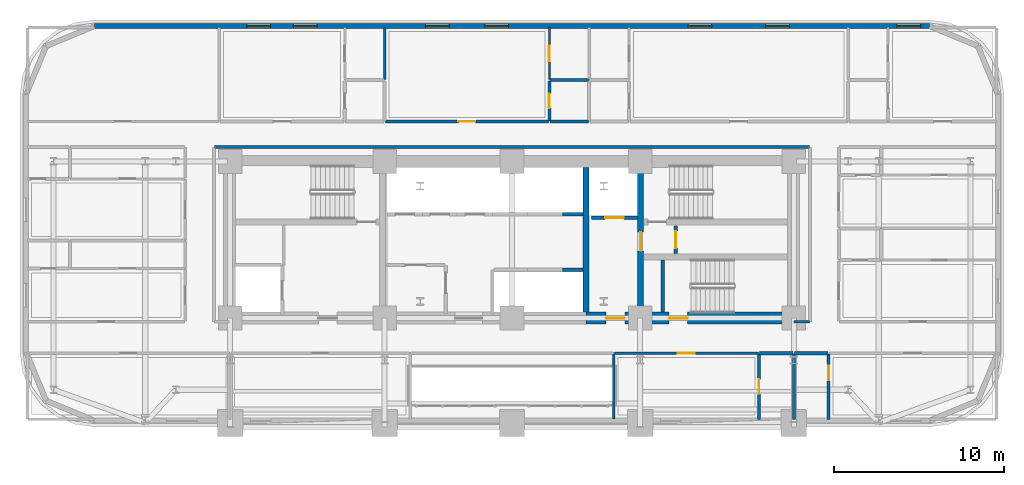
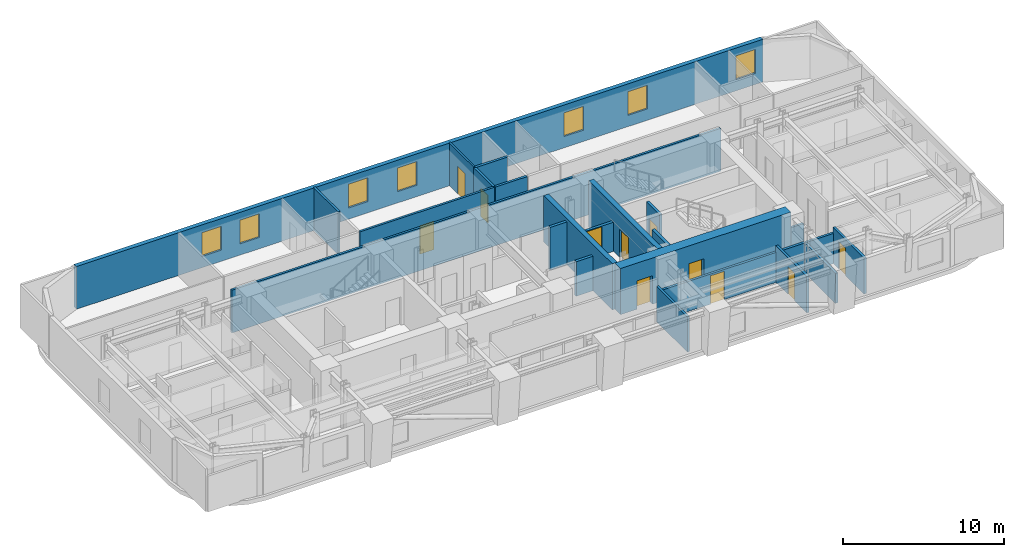
# One storey, part 10 of 15: 24 walls, 11 doors, 7 windows, 18 openings.
"""IFC4 building model written with IfcOpenShell, lengths in metres."""

from ifc_helpers import new_model, si_unit, direction, frame, frame_2d, origin, place, context, subcontext, project, spatial, rectangle, extrude, material, layer, layer_set, type_object, element, fill, save


model = new_model("IFC4")

# Units and contexts
model_context = context("Model", 3, precision=1e-05, world=origin(), true_north=direction((0.0, 1.0)))
body_context = subcontext(model_context, "Body", "Model", "MODEL_VIEW")
ifc_project = project(units=[si_unit("LENGTHUNIT", "METRE"), si_unit("AREAUNIT", "SQUARE_METRE"), si_unit("VOLUMEUNIT", "CUBIC_METRE"), si_unit("PLANEANGLEUNIT", "RADIAN"), si_unit("MASSUNIT", "GRAM", prefix="KILO")], contexts=[model_context])

# Site, building, storey
site_placement = place(None, origin())
site = spatial("IfcSite", under=ifc_project, at=site_placement, CompositionType="ELEMENT")
building_placement = place(site_placement, origin())
building = spatial("IfcBuilding", under=site, at=building_placement, Name="Zarnavel Station Tower", CompositionType="ELEMENT")
storey_placement = place(building_placement, frame((0.0, 0.0, 50.0)))
storey = spatial("IfcBuildingStorey", under=building, at=storey_placement, Name="L13", CompositionType="ELEMENT", Elevation=50.0)

# Wall
ifc_material_1 = material(Name="Concrete C50/60", Category="concrete")
ifc_layer_1 = layer(ifc_material_1, 0.35009765625)
ifc_layer_set_1 = layer_set([ifc_layer_1], Name="CW_350")
wall_type_1 = type_object("IfcWallType", Name="CW_350", PredefinedType="SHEAR", material=ifc_layer_set_1)
wall_1_placement = place(storey_placement, frame((33.14990234375, 28.169921875, 0.0), z_axis=(0.0, 0.0, 1.0), x_axis=(0.0, 1.0, 0.0)))
element("IfcWall", 1, at=wall_1_placement, inside=storey, type_object=wall_type_1, Name="L13 Rear Core Shear Wall DIV-E", PredefinedType="SHEAR", context=body_context, shape_type="SweptSolid", body=[
    extrude(rectangle(XDim=8.530029296875, YDim=0.35009765625, at=frame_2d((4.26513671875, 0.0))), origin(), (0.0, 0.0, 1.0), 3.5),
])

# Wall, opening, door
wall_2_placement = place(storey_placement, frame((36.3798828125, 28.169921875, 0.0), z_axis=(0.0, 0.0, 1.0), x_axis=(0.0, 1.0, 0.0)))
wall_2 = element("IfcWall", 2, at=wall_2_placement, inside=storey, type_object=wall_type_1, Name="L13 Rear Core Shear Wall DIV-S2", PredefinedType="SHEAR", context=body_context, shape_type="SweptSolid", body=[
    extrude(rectangle(XDim=8.530029296875, YDim=0.35009765625, at=frame_2d((4.26513671875, 0.0))), origin(), (0.0, 0.0, 1.0), 3.5),
])
opening_1_placement = place(wall_2_placement, frame((3.610107421875, 0.0, 0.0)))
opening_1 = element("IfcOpeningElement", 3, at=opening_1_placement, cuts=wall_2, Name="Opening FD01", PredefinedType="OPENING", context=body_context, shape_type="SweptSolid", body=[
    extrude(rectangle(XDim=1.10009765625, YDim=2.14990234375, at=frame_2d((0.550048828125, 1.074951171875))), frame((0.0, 0.18505859375, 0.0), z_axis=(0.0, -1.0, 0.0), x_axis=(1.0, 0.0, 0.0)), (0.0, 0.0, 1.0), 0.3701171875),
])
ifc_material_2 = material(Name="Painted Galvanised Steel and Hardwood Leaf", Category="steel")
door_type_1 = type_object("IfcDoorType", Name="ID_STAIR_1100", OperationType="NOTDEFINED", PredefinedType="DOOR", material=ifc_material_2)
door_1_placement = place(opening_1_placement, origin())
door_1 = element("IfcDoor", 4, at=door_1_placement, inside=storey, type_object=door_type_1, Name="L13 East Stair Vestibule Fire Door", OperationType="SINGLE_SWING_LEFT", OverallHeight=2.14990234375, OverallWidth=1.10009765625, PredefinedType="DOOR", context=body_context, shape_type="SweptSolid", body=[
    extrude(rectangle(XDim=1.10009765625, YDim=2.14990234375, at=frame_2d((0.550048828125, 1.074951171875))), frame((0.0, 0.02490234375, 0.0), z_axis=(0.0, -1.0, 0.0), x_axis=(1.0, 0.0, 0.0)), (0.0, 0.0, 1.0), 0.050048828125),
])
fill(opening_1, door_1)

# Wall, openings, doors
ifc_material_3 = material(Name="Concrete C60/75", Category="concrete")
ifc_layer_2 = layer(ifc_material_3, 0.699951171875)
ifc_layer_set_2 = layer_set([ifc_layer_2], Name="CW_700")
wall_type_2 = type_object("IfcWallType", Name="CW_700", PredefinedType="SHEAR", material=ifc_layer_set_2)
wall_3_placement = place(storey_placement, frame((45.3798828125, 27.820068359375, 0.0), z_axis=(0.0, 0.0, 1.0), x_axis=(-1.0, 0.0, 0.0)))
wall_3 = element("IfcWall", 5, at=wall_3_placement, inside=storey, type_object=wall_type_2, Name="L13 Rear Core Shear Wall S-E", PredefinedType="SHEAR", context=body_context, shape_type="SweptSolid", body=[
    extrude(rectangle(XDim=12.22998046875, YDim=0.699951171875, at=frame_2d((6.114990234375, 0.0))), origin(), (0.0, 0.0, 1.0), 3.5),
])
opening_2_placement = place(wall_3_placement, frame((9.929931640625, 0.0, 0.0)))
opening_2 = element("IfcOpeningElement", 6, at=opening_2_placement, cuts=wall_3, Name="Opening FD01", PredefinedType="OPENING", context=body_context, shape_type="SweptSolid", body=[
    extrude(rectangle(XDim=1.10009765625, YDim=2.14990234375, at=frame_2d((0.550048828125, 1.074951171875))), frame((0.0, 0.35986328125, 0.0), z_axis=(0.0, -1.0, 0.0), x_axis=(1.0, 0.0, 0.0)), (0.0, 0.0, 1.0), 0.719970703125),
])
opening_3_placement = place(wall_3_placement, frame((6.22998046875, 0.0, 0.0)))
opening_3 = element("IfcOpeningElement", 7, at=opening_3_placement, cuts=wall_3, Name="Opening FD01", PredefinedType="OPENING", context=body_context, shape_type="SweptSolid", body=[
    extrude(rectangle(XDim=1.10009765625, YDim=2.14990234375, at=frame_2d((0.550048828125, 1.074951171875))), frame((0.0, 0.35986328125, 0.0), z_axis=(0.0, -1.0, 0.0), x_axis=(1.0, 0.0, 0.0)), (0.0, 0.0, 1.0), 0.719970703125),
])
door_2_placement = place(opening_2_placement, origin())
door_2 = element("IfcDoor", 8, at=door_2_placement, inside=storey, type_object=door_type_1, Name="L13 East Firefighting Lobby Door", OperationType="SINGLE_SWING_LEFT", OverallHeight=2.14990234375, OverallWidth=1.10009765625, PredefinedType="DOOR", context=body_context, shape_type="SweptSolid", body=[
    extrude(rectangle(XDim=1.10009765625, YDim=2.14990234375, at=frame_2d((0.550048828125, 1.074951171875))), frame((0.0, 0.02490234375, 0.0), z_axis=(0.0, -1.0, 0.0), x_axis=(1.0, 0.0, 0.0)), (0.0, 0.0, 1.0), 0.050048828125),
])
fill(opening_2, door_2)
door_3_placement = place(opening_3_placement, origin())
door_3 = element("IfcDoor", 9, at=door_3_placement, inside=storey, type_object=door_type_1, Name="L13 Stair ST3 Corridor Fire Door", OperationType="SINGLE_SWING_RIGHT", OverallHeight=2.14990234375, OverallWidth=1.10009765625, PredefinedType="DOOR", context=body_context, shape_type="SweptSolid", body=[
    extrude(rectangle(XDim=1.10009765625, YDim=2.14990234375, at=frame_2d((0.550048828125, 1.074951171875))), frame((0.0, 0.02490234375, 0.0), z_axis=(0.0, -1.0, 0.0), x_axis=(1.0, 0.0, 0.0)), (0.0, 0.0, 1.0), 0.050048828125),
])
fill(opening_3, door_3)

# Wall, openings, windows
ifc_material_4 = material(Name="Precast concrete C45/55 (Dark Basalt Finish)", Category="masonry")
ifc_layer_3 = layer(ifc_material_4, 0.300048828125)
ifc_layer_set_3 = layer_set([ifc_layer_3], Name="EW_BASALT_300")
wall_type_3 = type_object("IfcWallType", Name="EW_BASALT_300", PredefinedType="SOLIDWALL", material=ifc_layer_set_3)
wall_4_placement = place(storey_placement, frame((4.199951171875, 45.02001953125, 0.0), z_axis=(0.0, 0.0, 1.0), x_axis=(1.0, 0.0, 0.0)))
wall_4 = element("IfcWall", 10, at=wall_4_placement, inside=storey, type_object=wall_type_3, Name="L13 Exterior Basalt Masonry Frame Wall 06", PredefinedType="SOLIDWALL", context=body_context, shape_type="SweptSolid", body=[
    extrude(rectangle(XDim=49.199951171875, YDim=0.300048828125, at=frame_2d((24.60009765625, 0.0))), origin(), (0.0, 0.0, 1.0), 3.239990234375),
])
opening_4_placement = place(wall_4_placement, frame((8.989990234375, 0.0, 0.85009765625)))
opening_4 = element("IfcOpeningElement", 11, at=opening_4_placement, cuts=wall_4, Name="Opening WN01", PredefinedType="OPENING", context=body_context, shape_type="SweptSolid", body=[
    extrude(rectangle(XDim=1.39990234375, YDim=1.800048828125, at=frame_2d((0.699951171875, 0.89990234375))), frame((0.0, 0.159912109375, 0.0), z_axis=(0.0, -1.0, 0.0), x_axis=(1.0, 0.0, 0.0)), (0.0, 0.0, 1.0), 0.320068359375),
])
opening_5_placement = place(wall_4_placement, frame((11.719970703125, 0.0, 0.85009765625)))
opening_5 = element("IfcOpeningElement", 12, at=opening_5_placement, cuts=wall_4, Name="Opening WN01", PredefinedType="OPENING", context=body_context, shape_type="SweptSolid", body=[
    extrude(rectangle(XDim=1.39990234375, YDim=1.800048828125, at=frame_2d((0.699951171875, 0.89990234375))), frame((0.0, 0.159912109375, 0.0), z_axis=(0.0, -1.0, 0.0), x_axis=(1.0, 0.0, 0.0)), (0.0, 0.0, 1.0), 0.320068359375),
])
opening_6_placement = place(wall_4_placement, frame((19.4990234375, 0.0, 0.85009765625)))
opening_6 = element("IfcOpeningElement", 13, at=opening_6_placement, cuts=wall_4, Name="Opening WN01", PredefinedType="OPENING", context=body_context, shape_type="SweptSolid", body=[
    extrude(rectangle(XDim=1.39990234375, YDim=1.800048828125, at=frame_2d((0.699951171875, 0.89990234375))), frame((0.0, 0.159912109375, 0.0), z_axis=(0.0, -1.0, 0.0), x_axis=(1.0, 0.0, 0.0)), (0.0, 0.0, 1.0), 0.320068359375),
])
opening_7_placement = place(wall_4_placement, frame((22.998046875, 0.0, 0.85009765625)))
opening_7 = element("IfcOpeningElement", 14, at=opening_7_placement, cuts=wall_4, Name="Opening WN01", PredefinedType="OPENING", context=body_context, shape_type="SweptSolid", body=[
    extrude(rectangle(XDim=1.39990234375, YDim=1.800048828125, at=frame_2d((0.699951171875, 0.89990234375))), frame((0.0, 0.159912109375, 0.0), z_axis=(0.0, -1.0, 0.0), x_axis=(1.0, 0.0, 0.0)), (0.0, 0.0, 1.0), 0.320068359375),
])
opening_8_placement = place(wall_4_placement, frame((34.964599609375, 0.0, 0.85009765625)))
opening_8 = element("IfcOpeningElement", 15, at=opening_8_placement, cuts=wall_4, Name="Opening WN01", PredefinedType="OPENING", context=body_context, shape_type="SweptSolid", body=[
    extrude(rectangle(XDim=1.39990234375, YDim=1.800048828125, at=frame_2d((0.699951171875, 0.89990234375))), frame((0.0, 0.159912109375, 0.0), z_axis=(0.0, -1.0, 0.0), x_axis=(1.0, 0.0, 0.0)), (0.0, 0.0, 1.0), 0.320068359375),
])
opening_9_placement = place(wall_4_placement, frame((39.5322265625, 0.0, 0.85009765625)))
opening_9 = element("IfcOpeningElement", 16, at=opening_9_placement, cuts=wall_4, Name="Opening WN01", PredefinedType="OPENING", context=body_context, shape_type="SweptSolid", body=[
    extrude(rectangle(XDim=1.39990234375, YDim=1.800048828125, at=frame_2d((0.699951171875, 0.89990234375))), frame((0.0, 0.159912109375, 0.0), z_axis=(0.0, -1.0, 0.0), x_axis=(1.0, 0.0, 0.0)), (0.0, 0.0, 1.0), 0.320068359375),
])
opening_10_placement = place(wall_4_placement, frame((47.264892578125, 0.0, 0.85009765625)))
opening_10 = element("IfcOpeningElement", 17, at=opening_10_placement, cuts=wall_4, Name="Opening WN01", PredefinedType="OPENING", context=body_context, shape_type="SweptSolid", body=[
    extrude(rectangle(XDim=1.39990234375, YDim=1.800048828125, at=frame_2d((0.699951171875, 0.89990234375))), frame((0.0, 0.159912109375, 0.0), z_axis=(0.0, -1.0, 0.0), x_axis=(1.0, 0.0, 0.0)), (0.0, 0.0, 1.0), 0.320068359375),
])
ifc_material_5 = material(Name="Thermally Broken Black Aluminium and Low-E Dark Glass", Category="aluminium")
window_type = type_object("IfcWindowType", Name="WN_1400x1800", PartitioningType="DOUBLE_PANEL_VERTICAL", PredefinedType="WINDOW", material=ifc_material_5)
window_1_placement = place(opening_4_placement, origin())
window_1 = element("IfcWindow", 18, at=window_1_placement, inside=storey, type_object=window_type, Name="L13 Recessed Facade Window 01", OverallHeight=1.800048828125, OverallWidth=1.39990234375, PartitioningType="SINGLE_PANEL", PredefinedType="WINDOW", context=body_context, shape_type="SweptSolid", body=[
    extrude(rectangle(XDim=1.39990234375, YDim=1.800048828125, at=frame_2d((0.699951171875, 0.89990234375))), frame((0.0, 0.030029296875, 0.0), z_axis=(0.0, -1.0, 0.0), x_axis=(1.0, 0.0, 0.0)), (0.0, 0.0, 1.0), 0.06005859375),
])
fill(opening_4, window_1)
window_2_placement = place(opening_5_placement, origin())
window_2 = element("IfcWindow", 19, at=window_2_placement, inside=storey, type_object=window_type, Name="L13 Recessed Facade Window 02", OverallHeight=1.800048828125, OverallWidth=1.39990234375, PartitioningType="SINGLE_PANEL", PredefinedType="WINDOW", context=body_context, shape_type="SweptSolid", body=[
    extrude(rectangle(XDim=1.39990234375, YDim=1.800048828125, at=frame_2d((0.699951171875, 0.89990234375))), frame((0.0, 0.030029296875, 0.0), z_axis=(0.0, -1.0, 0.0), x_axis=(1.0, 0.0, 0.0)), (0.0, 0.0, 1.0), 0.06005859375),
])
fill(opening_5, window_2)
window_3_placement = place(opening_6_placement, origin())
window_3 = element("IfcWindow", 20, at=window_3_placement, inside=storey, type_object=window_type, Name="L13 Recessed Facade Window 03", OverallHeight=1.800048828125, OverallWidth=1.39990234375, PartitioningType="SINGLE_PANEL", PredefinedType="WINDOW", context=body_context, shape_type="SweptSolid", body=[
    extrude(rectangle(XDim=1.39990234375, YDim=1.800048828125, at=frame_2d((0.699951171875, 0.89990234375))), frame((0.0, 0.030029296875, 0.0), z_axis=(0.0, -1.0, 0.0), x_axis=(1.0, 0.0, 0.0)), (0.0, 0.0, 1.0), 0.06005859375),
])
fill(opening_6, window_3)
window_4_placement = place(opening_7_placement, origin())
window_4 = element("IfcWindow", 21, at=window_4_placement, inside=storey, type_object=window_type, Name="L13 Recessed Facade Window 04", OverallHeight=1.800048828125, OverallWidth=1.39990234375, PartitioningType="SINGLE_PANEL", PredefinedType="WINDOW", context=body_context, shape_type="SweptSolid", body=[
    extrude(rectangle(XDim=1.39990234375, YDim=1.800048828125, at=frame_2d((0.699951171875, 0.89990234375))), frame((0.0, 0.030029296875, 0.0), z_axis=(0.0, -1.0, 0.0), x_axis=(1.0, 0.0, 0.0)), (0.0, 0.0, 1.0), 0.06005859375),
])
fill(opening_7, window_4)
window_5_placement = place(opening_8_placement, origin())
window_5 = element("IfcWindow", 22, at=window_5_placement, inside=storey, type_object=window_type, Name="L13 Recessed Facade Window 05", OverallHeight=1.800048828125, OverallWidth=1.39990234375, PartitioningType="SINGLE_PANEL", PredefinedType="WINDOW", context=body_context, shape_type="SweptSolid", body=[
    extrude(rectangle(XDim=1.39990234375, YDim=1.800048828125, at=frame_2d((0.699951171875, 0.89990234375))), frame((0.0, 0.030029296875, 0.0), z_axis=(0.0, -1.0, 0.0), x_axis=(1.0, 0.0, 0.0)), (0.0, 0.0, 1.0), 0.06005859375),
])
fill(opening_8, window_5)
window_6_placement = place(opening_9_placement, origin())
window_6 = element("IfcWindow", 23, at=window_6_placement, inside=storey, type_object=window_type, Name="L13 Recessed Facade Window 06", OverallHeight=1.800048828125, OverallWidth=1.39990234375, PartitioningType="SINGLE_PANEL", PredefinedType="WINDOW", context=body_context, shape_type="SweptSolid", body=[
    extrude(rectangle(XDim=1.39990234375, YDim=1.800048828125, at=frame_2d((0.699951171875, 0.89990234375))), frame((0.0, 0.030029296875, 0.0), z_axis=(0.0, -1.0, 0.0), x_axis=(1.0, 0.0, 0.0)), (0.0, 0.0, 1.0), 0.06005859375),
])
fill(opening_9, window_6)
window_7_placement = place(opening_10_placement, origin())
window_7 = element("IfcWindow", 24, at=window_7_placement, inside=storey, type_object=window_type, Name="L13 Recessed Facade Window 07", OverallHeight=1.800048828125, OverallWidth=1.39990234375, PartitioningType="SINGLE_PANEL", PredefinedType="WINDOW", context=body_context, shape_type="SweptSolid", body=[
    extrude(rectangle(XDim=1.39990234375, YDim=1.800048828125, at=frame_2d((0.699951171875, 0.89990234375))), frame((0.0, 0.030029296875, 0.0), z_axis=(0.0, -1.0, 0.0), x_axis=(1.0, 0.0, 0.0)), (0.0, 0.0, 1.0), 0.06005859375),
])
fill(opening_10, window_7)

# Wall, opening, door
ifc_material_6 = material(Name="Gypsum Twin-Stud Acoustic Fire Partition", Category="concrete")
ifc_layer_4 = layer(ifc_material_6, 0.159912109375)
ifc_layer_set_4 = layer_set([ifc_layer_4], Name="PT_DEMISE_160")
wall_type_4 = type_object("IfcWallType", Name="PT_DEMISE_160", PredefinedType="PARTITIONING", material=ifc_layer_set_4)
wall_5_placement = place(storey_placement, frame((34.840087890625, 25.75, 0.0), z_axis=(0.0, 0.0, 1.0), x_axis=(1.0, 0.0, 0.0)))
wall_5 = element("IfcWall", 25, at=wall_5_placement, inside=storey, type_object=wall_type_4, Name="L13 Partition COR-S-HE1R", PredefinedType="PARTITIONING", context=body_context, shape_type="SweptSolid", body=[
    extrude(rectangle(XDim=8.469970703125, YDim=0.159912109375, at=frame_2d((4.23486328125, 0.0))), origin(), (0.0, 0.0, 1.0), 2.280029296875),
])
opening_11_placement = place(wall_5_placement, frame((3.735107421875, 0.0, 0.0)))
opening_11 = element("IfcOpeningElement", 26, at=opening_11_placement, cuts=wall_5, Name="Opening FD02", PredefinedType="OPENING", context=body_context, shape_type="SweptSolid", body=[
    extrude(rectangle(XDim=1.0, YDim=2.14990234375, at=frame_2d((0.5, 1.074951171875))), frame((0.0, 0.08984375, 0.0), z_axis=(0.0, -1.0, 0.0), x_axis=(1.0, 0.0, 0.0)), (0.0, 0.0, 1.0), 0.179931640625),
])
ifc_material_7 = material(Name="Painted Galvanised Steel and Hardwood Leaf", Category="steel")
door_type_2 = type_object("IfcDoorType", Name="ID_ENTRY_1000", OperationType="NOTDEFINED", PredefinedType="DOOR", material=ifc_material_7)
door_4_placement = place(opening_11_placement, origin())
door_4 = element("IfcDoor", 27, at=door_4_placement, inside=storey, type_object=door_type_2, Name="L13 Door COR-S-HE1R", OperationType="SINGLE_SWING_RIGHT", OverallHeight=2.14990234375, OverallWidth=1.0, PredefinedType="DOOR", context=body_context, shape_type="SweptSolid", body=[
    extrude(rectangle(XDim=1.0, YDim=2.14990234375, at=frame_2d((0.5, 1.074951171875))), frame((0.0, 0.02490234375, 0.0), z_axis=(0.0, -1.0, 0.0), x_axis=(1.0, 0.0, 0.0)), (0.0, 0.0, 1.0), 0.050048828125),
])
fill(opening_11, door_4)

wall_6_placement = place(storey_placement, frame((21.340087890625, 39.39990234375, 0.0), z_axis=(0.0, 0.0, 1.0), x_axis=(1.0, 0.0, 0.0)))
wall_6 = element("IfcWall", 28, at=wall_6_placement, inside=storey, type_object=wall_type_4, Name="L13 Partition COR-N-HN2R", PredefinedType="PARTITIONING", context=body_context, shape_type="SweptSolid", body=[
    extrude(rectangle(XDim=9.616943359375, YDim=0.159912109375, at=frame_2d((4.80859375, 0.0))), origin(), (0.0, 0.0, 1.0), 3.239990234375),
])
opening_12_placement = place(wall_6_placement, frame((4.30859375, 0.0, 0.0)))
opening_12 = element("IfcOpeningElement", 29, at=opening_12_placement, cuts=wall_6, Name="Opening FD02", PredefinedType="OPENING", context=body_context, shape_type="SweptSolid", body=[
    extrude(rectangle(XDim=1.0, YDim=2.14990234375, at=frame_2d((0.5, 1.074951171875))), frame((0.0, 0.08984375, 0.0), z_axis=(0.0, -1.0, 0.0), x_axis=(1.0, 0.0, 0.0)), (0.0, 0.0, 1.0), 0.179931640625),
])
door_5_placement = place(opening_12_placement, origin())
door_5 = element("IfcDoor", 30, at=door_5_placement, inside=storey, type_object=door_type_2, Name="L13 Door COR-N-HN2R", OperationType="SINGLE_SWING_RIGHT", OverallHeight=2.14990234375, OverallWidth=1.0, PredefinedType="DOOR", context=body_context, shape_type="SweptSolid", body=[
    extrude(rectangle(XDim=1.0, YDim=2.14990234375, at=frame_2d((0.5, 1.074951171875))), frame((0.0, 0.02490234375, 0.0), z_axis=(0.0, -1.0, 0.0), x_axis=(1.0, 0.0, 0.0)), (0.0, 0.0, 1.0), 0.050048828125),
])
fill(opening_12, door_5)

# Walls
wall_7_placement = place(storey_placement, frame((21.300048828125, 41.8779296875, 0.0), z_axis=(0.0, 0.0, 1.0), x_axis=(0.0, 1.0, 0.0)))
element("IfcWall", 31, at=wall_7_placement, inside=storey, type_object=wall_type_4, Name="L13 Partition HN1S-HN2R", PredefinedType="PARTITIONING", context=body_context, shape_type="SweptSolid", body=[
    extrude(rectangle(XDim=3.06201171875, YDim=0.159912109375, at=frame_2d((1.531005859375, 0.0))), origin(), (0.0, 0.0, 1.0), 3.239990234375),
])
wall_8_placement = place(storey_placement, frame((45.409912109375, 27.60009765625, 0.0), z_axis=(0.0, 0.0, 1.0), x_axis=(1.0, 0.0, 0.0)))
element("IfcWall", 32, at=wall_8_placement, inside=storey, type_object=wall_type_4, Name="L13 Enclosure Wall COR-S", PredefinedType="PARTITIONING", context=body_context, shape_type="SweptSolid", body=[
    extrude(rectangle(XDim=0.91015625, YDim=0.159912109375, at=frame_2d((0.455078125, 0.0))), origin(), (0.0, 0.0, 1.0), 2.280029296875),
])
wall_9_placement = place(storey_placement, frame((11.280029296875, 37.89990234375, 0.0), z_axis=(0.0, 0.0, 1.0), x_axis=(1.0, 0.0, 0.0)))
element("IfcWall", 33, at=wall_9_placement, inside=storey, type_object=wall_type_4, Name="L13 Enclosure Wall COR-N", PredefinedType="PARTITIONING", context=body_context, shape_type="SweptSolid", body=[
    extrude(rectangle(XDim=35.0400390625, YDim=0.159912109375, at=frame_2d((17.52001953125, 0.0))), origin(), (0.0, 0.0, 1.0), 3.239990234375),
])
wall_10_placement = place(storey_placement, frame((34.800048828125, 21.889892578125, 0.0), z_axis=(0.0, 0.0, 1.0), x_axis=(0.0, 1.0, 0.0)))
element("IfcWall", 34, at=wall_10_placement, inside=storey, type_object=wall_type_4, Name="L13 Enclosure Wall HE1R", PredefinedType="PARTITIONING", context=body_context, shape_type="SweptSolid", body=[
    extrude(rectangle(XDim=3.830078125, YDim=0.159912109375, at=frame_2d((1.9150390625, 0.0))), origin(), (0.0, 0.0, 1.0), 2.679931640625),
])

# Wall, opening, door
ifc_material_8 = material(Name="Gypsum Metal-Stud Interior Partition", Category="concrete")
ifc_layer_5 = layer(ifc_material_8, 0.1201171875)
ifc_layer_set_5 = layer_set([ifc_layer_5], Name="PT_ROOM_120")
wall_type_5 = type_object("IfcWallType", Name="PT_ROOM_120", PredefinedType="PARTITIONING", material=ifc_layer_set_5)
wall_11_placement = place(storey_placement, frame((30.9970703125, 41.8779296875, 0.0), z_axis=(0.0, 0.0, 1.0), x_axis=(0.0, 1.0, 0.0)))
wall_11 = element("IfcWall", 35, at=wall_11_placement, inside=storey, type_object=wall_type_5, Name="L13 Partition HN2R-HN2S", PredefinedType="PARTITIONING", context=body_context, shape_type="SweptSolid", body=[
    extrude(rectangle(XDim=3.06201171875, YDim=0.1201171875, at=frame_2d((1.531005859375, 0.0))), origin(), (0.0, 0.0, 1.0), 3.239990234375),
])
opening_13_placement = place(wall_11_placement, frame((1.0810546875, 0.0, 0.0)))
opening_13 = element("IfcOpeningElement", 36, at=opening_13_placement, cuts=wall_11, Name="Opening ID01", PredefinedType="OPENING", context=body_context, shape_type="SweptSolid", body=[
    extrude(rectangle(XDim=0.89990234375, YDim=2.10009765625, at=frame_2d((0.449951171875, 1.050048828125))), frame((0.0, 0.070068359375, 0.0), z_axis=(0.0, -1.0, 0.0), x_axis=(1.0, 0.0, 0.0)), (0.0, 0.0, 1.0), 0.14013671875),
])
ifc_material_9 = material(Name="Painted Galvanised Steel and Hardwood Leaf", Category="steel")
door_type_3 = type_object("IfcDoorType", Name="ID_ROOM_900", OperationType="NOTDEFINED", PredefinedType="DOOR", material=ifc_material_9)
door_6_placement = place(opening_13_placement, origin())
door_6 = element("IfcDoor", 37, at=door_6_placement, inside=storey, type_object=door_type_3, Name="L13 Door HN2R-HN2S", OperationType="SINGLE_SWING_RIGHT", OverallHeight=2.10009765625, OverallWidth=0.89990234375, PredefinedType="DOOR", context=body_context, shape_type="SweptSolid", body=[
    extrude(rectangle(XDim=0.89990234375, YDim=2.10009765625, at=frame_2d((0.449951171875, 1.050048828125))), frame((0.0, 0.02490234375, 0.0), z_axis=(0.0, -1.0, 0.0), x_axis=(1.0, 0.0, 0.0)), (0.0, 0.0, 1.0), 0.050048828125),
])
fill(opening_13, door_6)

ifc_material_10 = material(Name="Precast concrete C45/55 (Fire Shaft Blockwork)", Category="masonry")
ifc_layer_6 = layer(ifc_material_10, 0.199951171875)
ifc_layer_set_6 = layer_set([ifc_layer_6], Name="PT_SHAFT_200")
wall_type_6 = type_object("IfcWallType", Name="PT_SHAFT_200", PredefinedType="PARTITIONING", material=ifc_layer_set_6)
wall_12_placement = place(storey_placement, frame((33.47509765625, 33.72998046875, 0.0), z_axis=(0.0, 0.0, 1.0), x_axis=(1.0, 0.0, 0.0)))
wall_12 = element("IfcWall", 38, at=wall_12_placement, inside=storey, type_object=wall_type_6, Name="L13 Lift FFL-02 Shaft Front Wall", PredefinedType="PARTITIONING", context=body_context, shape_type="SweptSolid", body=[
    extrude(rectangle(XDim=2.724853515625, YDim=0.199951171875, at=frame_2d((1.3623046875, 0.0))), origin(), (0.0, 0.0, 1.0), 2.2119140625),
])
opening_14_placement = place(wall_12_placement, frame((0.8125, 0.0, 0.0)))
opening_14 = element("IfcOpeningElement", 39, at=opening_14_placement, cuts=wall_12, Name="Opening LD01", PredefinedType="OPENING", context=body_context, shape_type="SweptSolid", body=[
    extrude(rectangle(XDim=1.10009765625, YDim=2.14990234375, at=frame_2d((0.550048828125, 1.074951171875))), frame((0.0, 0.10986328125, 0.0), z_axis=(0.0, -1.0, 0.0), x_axis=(1.0, 0.0, 0.0)), (0.0, 0.0, 1.0), 0.219970703125),
])
ifc_material_11 = material(Name="Painted Galvanised Steel and Hardwood Leaf", Category="steel")
door_type_4 = type_object("IfcDoorType", Name="LD_FF_1100", OperationType="DOUBLE_DOOR_SLIDING", PredefinedType="DOOR", material=ifc_material_11)
door_7_placement = place(opening_14_placement, origin())
door_7 = element("IfcDoor", 40, at=door_7_placement, inside=storey, type_object=door_type_4, Name="L13 Lift FFL-02 Sliding Landing Door", OperationType="DOUBLE_DOOR_SLIDING", OverallHeight=2.14990234375, OverallWidth=1.10009765625, PredefinedType="DOOR", context=body_context, shape_type="SweptSolid", body=[
    extrude(rectangle(XDim=1.10009765625, YDim=2.14990234375, at=frame_2d((0.550048828125, 1.074951171875))), frame((0.0, 0.02490234375, 0.0), z_axis=(0.0, -1.0, 0.0), x_axis=(1.0, 0.0, 0.0)), (0.0, 0.0, 1.0), 0.050048828125),
])
fill(opening_14, door_7)

# Walls
wall_13_placement = place(storey_placement, frame((31.77490234375, 30.669921875, 0.0), z_axis=(0.0, 0.0, 1.0), x_axis=(1.0, 0.0, 0.0)))
element("IfcWall", 41, at=wall_13_placement, inside=storey, type_object=wall_type_6, Name="L13 Lift PL-H3 Shaft Front Wall", PredefinedType="PARTITIONING", context=body_context, shape_type="SweptSolid", body=[
    extrude(rectangle(XDim=1.2001953125, YDim=0.199951171875, at=frame_2d((0.60009765625, 0.0))), origin(), (0.0, 0.0, 1.0), 2.6201171875),
])
wall_14_placement = place(storey_placement, frame((31.77490234375, 33.929931640625, 0.0), z_axis=(0.0, 0.0, 1.0), x_axis=(1.0, 0.0, 0.0)))
element("IfcWall", 42, at=wall_14_placement, inside=storey, type_object=wall_type_6, Name="L13 Lift PL-M3 Shaft Front Wall", PredefinedType="PARTITIONING", context=body_context, shape_type="SweptSolid", body=[
    extrude(rectangle(XDim=1.2001953125, YDim=0.199951171875, at=frame_2d((0.60009765625, 0.0))), origin(), (0.0, 0.0, 1.0), 3.239990234375),
])
wall_15_placement = place(storey_placement, frame((37.679931640625, 28.169921875, 0.0), z_axis=(0.0, 0.0, 1.0), x_axis=(0.0, 1.0, 0.0)))
element("IfcWall", 43, at=wall_15_placement, inside=storey, type_object=wall_type_6, Name="L13 Stair ST3 West Shaft Wall", PredefinedType="PARTITIONING", context=body_context, shape_type="SweptSolid", body=[
    extrude(rectangle(XDim=3.080078125, YDim=0.199951171875, at=frame_2d((1.5400390625, 0.0))), origin(), (0.0, 0.0, 1.0), 2.6201171875),
])

# Wall, opening, door
wall_16_placement = place(storey_placement, frame((38.449951171875, 31.639892578125, 0.0), z_axis=(0.0, 0.0, 1.0), x_axis=(0.0, 1.0, 0.0)))
wall_16 = element("IfcWall", 44, at=wall_16_placement, inside=storey, type_object=wall_type_6, Name="L13 Partition ESTV-CEA", PredefinedType="PARTITIONING", context=body_context, shape_type="SweptSolid", body=[
    extrude(rectangle(XDim=1.6201171875, YDim=0.199951171875, at=frame_2d((0.81005859375, 0.0))), origin(), (0.0, 0.0, 1.0), 3.239990234375),
])
opening_15_placement = place(wall_16_placement, frame((0.31005859375, 0.0, 0.0)))
opening_15 = element("IfcOpeningElement", 45, at=opening_15_placement, cuts=wall_16, Name="Opening FD02", PredefinedType="OPENING", context=body_context, shape_type="SweptSolid", body=[
    extrude(rectangle(XDim=1.0, YDim=2.14990234375, at=frame_2d((0.5, 1.074951171875))), frame((0.0, 0.10986328125, 0.0), z_axis=(0.0, -1.0, 0.0), x_axis=(1.0, 0.0, 0.0)), (0.0, 0.0, 1.0), 0.219970703125),
])
door_8_placement = place(opening_15_placement, origin())
door_8 = element("IfcDoor", 46, at=door_8_placement, inside=storey, type_object=door_type_2, Name="L13 Door ESTV-CEA", OperationType="SINGLE_SWING_LEFT", OverallHeight=2.14990234375, OverallWidth=1.0, PredefinedType="DOOR", context=body_context, shape_type="SweptSolid", body=[
    extrude(rectangle(XDim=1.0, YDim=2.14990234375, at=frame_2d((0.5, 1.074951171875))), frame((0.0, 0.02490234375, 0.0), z_axis=(0.0, -1.0, 0.0), x_axis=(1.0, 0.0, 0.0)), (0.0, 0.0, 1.0), 0.050048828125),
])
fill(opening_15, door_8)

# Walls
ifc_material_12 = material(Name="Moisture-Resistant Plumbing Chase Wall", Category="concrete")
ifc_layer_7 = layer(ifc_material_12, 0.179931640625)
ifc_layer_set_7 = layer_set([ifc_layer_7], Name="PW_PLUMB_180")
wall_type_7 = type_object("IfcWallType", Name="PW_PLUMB_180", PredefinedType="PLUMBINGWALL", material=ifc_layer_set_7)
wall_17_placement = place(storey_placement, frame((43.389892578125, 25.75, 0.0), z_axis=(0.0, 0.0, 1.0), x_axis=(1.0, 0.0, 0.0)))
element("IfcWall", 47, at=wall_17_placement, inside=storey, type_object=wall_type_7, Name="L13 Partition COR-S-HE1B", PredefinedType="PLUMBINGWALL", context=body_context, shape_type="SweptSolid", body=[
    extrude(rectangle(XDim=1.97021484375, YDim=0.179931640625, at=frame_2d((0.985107421875, 0.0))), origin(), (0.0, 0.0, 1.0), 2.280029296875),
])
wall_18_placement = place(storey_placement, frame((45.43994140625, 25.75, 0.0), z_axis=(0.0, 0.0, 1.0), x_axis=(1.0, 0.0, 0.0)))
element("IfcWall", 48, at=wall_18_placement, inside=storey, type_object=wall_type_7, Name="L13 Partition COR-S-HE2B", PredefinedType="PLUMBINGWALL", context=body_context, shape_type="SweptSolid", body=[
    extrude(rectangle(XDim=1.969970703125, YDim=0.179931640625, at=frame_2d((0.98486328125, 0.0))), origin(), (0.0, 0.0, 1.0), 2.280029296875),
])
wall_19_placement = place(storey_placement, frame((31.037109375, 39.39990234375, 0.0), z_axis=(0.0, 0.0, 1.0), x_axis=(1.0, 0.0, 0.0)))
element("IfcWall", 49, at=wall_19_placement, inside=storey, type_object=wall_type_7, Name="L13 Partition COR-N-HN2B", PredefinedType="PLUMBINGWALL", context=body_context, shape_type="SweptSolid", body=[
    extrude(rectangle(XDim=2.269775390625, YDim=0.179931640625, at=frame_2d((1.134765625, 0.0))), origin(), (0.0, 0.0, 1.0), 3.239990234375),
])

# Wall, opening, door
wall_20_placement = place(storey_placement, frame((30.9970703125, 39.43994140625, 0.0), z_axis=(0.0, 0.0, 1.0), x_axis=(0.0, 1.0, 0.0)))
wall_20 = element("IfcWall", 50, at=wall_20_placement, inside=storey, type_object=wall_type_7, Name="L13 Partition HN2R-HN2B", PredefinedType="PLUMBINGWALL", context=body_context, shape_type="SweptSolid", body=[
    extrude(rectangle(XDim=2.358154296875, YDim=0.179931640625, at=frame_2d((1.17919921875, 0.0))), origin(), (0.0, 0.0, 1.0), 3.239990234375),
])
opening_16_placement = place(wall_20_placement, frame((0.75390625, 0.0, 0.0)))
opening_16 = element("IfcOpeningElement", 51, at=opening_16_placement, cuts=wall_20, Name="Opening ID02", PredefinedType="OPENING", context=body_context, shape_type="SweptSolid", body=[
    extrude(rectangle(XDim=0.85009765625, YDim=2.10009765625, at=frame_2d((0.425048828125, 1.050048828125))), frame((0.0, 0.099853515625, 0.0), z_axis=(0.0, -1.0, 0.0), x_axis=(1.0, 0.0, 0.0)), (0.0, 0.0, 1.0), 0.199951171875),
])
ifc_material_13 = material(Name="Painted Galvanised Steel and Hardwood Leaf", Category="steel")
door_type_5 = type_object("IfcDoorType", Name="ID_BATH_850", OperationType="NOTDEFINED", PredefinedType="DOOR", material=ifc_material_13)
door_9_placement = place(opening_16_placement, origin())
door_9 = element("IfcDoor", 52, at=door_9_placement, inside=storey, type_object=door_type_5, Name="L13 Door HN2R-HN2B", OperationType="SINGLE_SWING_LEFT", OverallHeight=2.10009765625, OverallWidth=0.85009765625, PredefinedType="DOOR", context=body_context, shape_type="SweptSolid", body=[
    extrude(rectangle(XDim=0.85009765625, YDim=2.10009765625, at=frame_2d((0.425048828125, 1.050048828125))), frame((0.0, 0.02490234375, 0.0), z_axis=(0.0, -1.0, 0.0), x_axis=(1.0, 0.0, 0.0)), (0.0, 0.0, 1.0), 0.050048828125),
])
fill(opening_16, door_9)

# Wall
wall_21_placement = place(storey_placement, frame((31.037109375, 41.837890625, 0.0), z_axis=(0.0, 0.0, 1.0), x_axis=(1.0, 0.0, 0.0)))
element("IfcWall", 53, at=wall_21_placement, inside=storey, type_object=wall_type_7, Name="L13 Partition HN2B-HN2S", PredefinedType="PLUMBINGWALL", context=body_context, shape_type="SweptSolid", body=[
    extrude(rectangle(XDim=2.269775390625, YDim=0.179931640625, at=frame_2d((1.134765625, 0.0))), origin(), (0.0, 0.0, 1.0), 3.239990234375),
])

# Wall, opening, door
wall_22_placement = place(storey_placement, frame((43.35009765625, 21.860107421875, 0.0), z_axis=(0.0, 0.0, 1.0), x_axis=(0.0, 1.0, 0.0)))
wall_22 = element("IfcWall", 54, at=wall_22_placement, inside=storey, type_object=wall_type_7, Name="L13 Partition HE1R-HE1B", PredefinedType="PLUMBINGWALL", context=body_context, shape_type="SweptSolid", body=[
    extrude(rectangle(XDim=3.849853515625, YDim=0.179931640625, at=frame_2d((1.9248046875, 0.0))), origin(), (0.0, 0.0, 1.0), 2.77001953125),
])
opening_17_placement = place(wall_22_placement, frame((1.5, 0.0, 0.0)))
opening_17 = element("IfcOpeningElement", 55, at=opening_17_placement, cuts=wall_22, Name="Opening ID02", PredefinedType="OPENING", context=body_context, shape_type="SweptSolid", body=[
    extrude(rectangle(XDim=0.85009765625, YDim=2.10009765625, at=frame_2d((0.425048828125, 1.050048828125))), frame((0.0, 0.099853515625, 0.0), z_axis=(0.0, -1.0, 0.0), x_axis=(1.0, 0.0, 0.0)), (0.0, 0.0, 1.0), 0.199951171875),
])
door_10_placement = place(opening_17_placement, origin())
door_10 = element("IfcDoor", 56, at=door_10_placement, inside=storey, type_object=door_type_5, Name="L13 Door HE1R-HE1B", OperationType="SINGLE_SWING_LEFT", OverallHeight=2.10009765625, OverallWidth=0.85009765625, PredefinedType="DOOR", context=body_context, shape_type="SweptSolid", body=[
    extrude(rectangle(XDim=0.85009765625, YDim=2.10009765625, at=frame_2d((0.425048828125, 1.050048828125))), frame((0.0, 0.02490234375, 0.0), z_axis=(0.0, -1.0, 0.0), x_axis=(1.0, 0.0, 0.0)), (0.0, 0.0, 1.0), 0.050048828125),
])
fill(opening_17, door_10)

# Wall
wall_23_placement = place(storey_placement, frame((45.39990234375, 21.860107421875, 0.0), z_axis=(0.0, 0.0, 1.0), x_axis=(0.0, 1.0, 0.0)))
element("IfcWall", 57, at=wall_23_placement, inside=storey, type_object=wall_type_7, Name="L13 Partition HE1B-HE2B", PredefinedType="PLUMBINGWALL", context=body_context, shape_type="SweptSolid", body=[
    extrude(rectangle(XDim=3.849853515625, YDim=0.179931640625, at=frame_2d((1.9248046875, 0.0))), origin(), (0.0, 0.0, 1.0), 2.280029296875),
])

# Wall, opening, door
wall_24_placement = place(storey_placement, frame((47.449951171875, 21.860107421875, 0.0), z_axis=(0.0, 0.0, 1.0), x_axis=(0.0, 1.0, 0.0)))
wall_24 = element("IfcWall", 58, at=wall_24_placement, inside=storey, type_object=wall_type_7, Name="L13 Partition HE2R-HE2B", PredefinedType="PLUMBINGWALL", context=body_context, shape_type="SweptSolid", body=[
    extrude(rectangle(XDim=3.849853515625, YDim=0.179931640625, at=frame_2d((1.9248046875, 0.0))), origin(), (0.0, 0.0, 1.0), 2.719970703125),
])
opening_18_placement = place(wall_24_placement, frame((2.293212890625, 0.0, 0.0)))
opening_18 = element("IfcOpeningElement", 59, at=opening_18_placement, cuts=wall_24, Name="Opening ID02", PredefinedType="OPENING", context=body_context, shape_type="SweptSolid", body=[
    extrude(rectangle(XDim=0.85009765625, YDim=2.10009765625, at=frame_2d((0.425048828125, 1.050048828125))), frame((0.0, 0.099853515625, 0.0), z_axis=(0.0, -1.0, 0.0), x_axis=(1.0, 0.0, 0.0)), (0.0, 0.0, 1.0), 0.199951171875),
])
door_11_placement = place(opening_18_placement, origin())
door_11 = element("IfcDoor", 60, at=door_11_placement, inside=storey, type_object=door_type_5, Name="L13 Door HE2R-HE2B", OperationType="SINGLE_SWING_RIGHT", OverallHeight=2.10009765625, OverallWidth=0.85009765625, PredefinedType="DOOR", context=body_context, shape_type="SweptSolid", body=[
    extrude(rectangle(XDim=0.85009765625, YDim=2.10009765625, at=frame_2d((0.425048828125, 1.050048828125))), frame((0.0, 0.02490234375, 0.0), z_axis=(0.0, -1.0, 0.0), x_axis=(1.0, 0.0, 0.0)), (0.0, 0.0, 1.0), 0.050048828125),
])
fill(opening_18, door_11)

save(model, "model.ifc")
